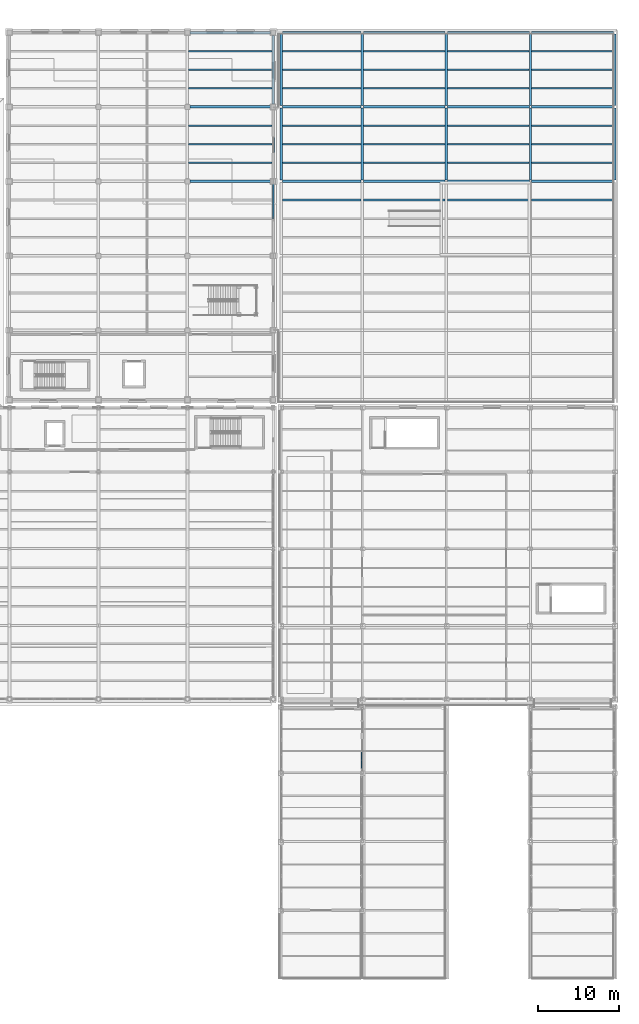
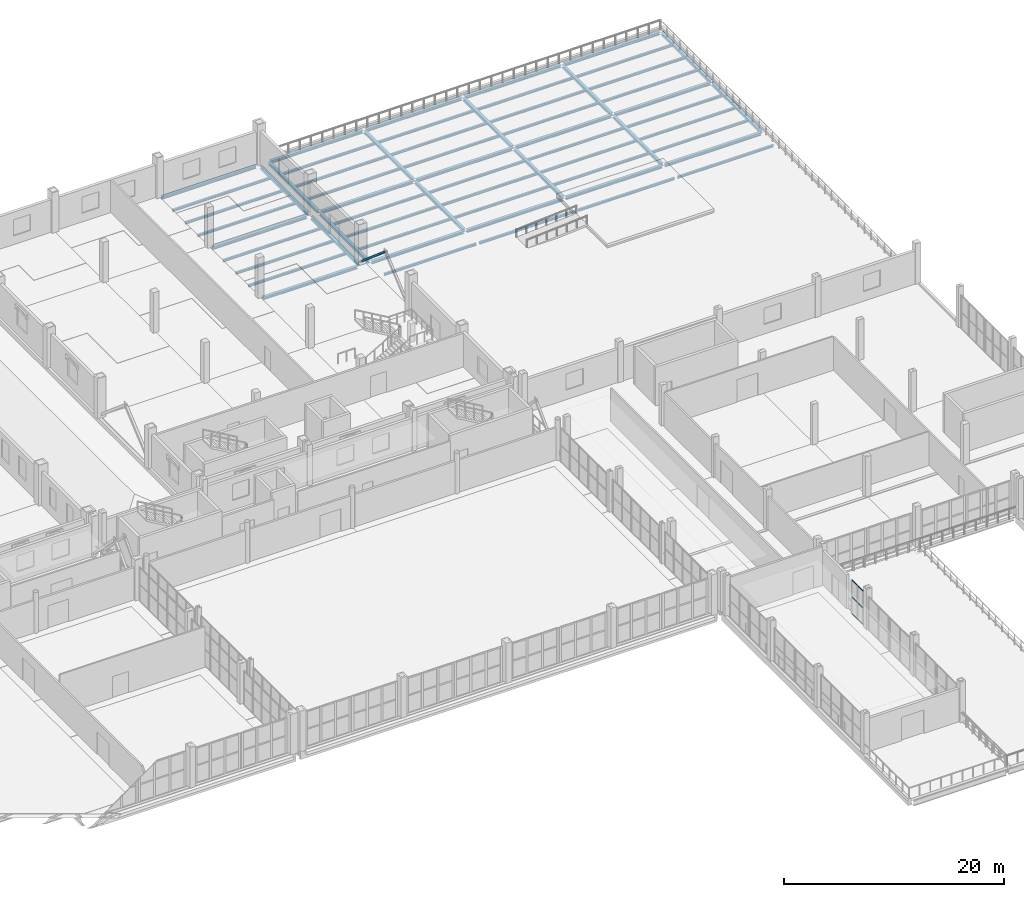
# One storey, part 100 of 156: 61 beams, 7 members, 1 element without a shape of its own.
"""IFC4 building model written with IfcOpenShell, lengths in metres."""

from ifc_helpers import new_model, si_unit, direction, frame, origin, origin_2d, place, context, subcontext, project, spatial, hollow_rectangle, i_section, extrude, material, material_profile, profile_set, type_object, element, aggregate, save


model = new_model("IFC4")

# Units and contexts
model_context = context("Model", 3, precision=1e-05, world=origin(), true_north=direction((0.0, 1.0)))
body_context = subcontext(model_context, "Body", "Model", "MODEL_VIEW")
ifc_project = project(units=[si_unit("LENGTHUNIT", "METRE"), si_unit("AREAUNIT", "SQUARE_METRE"), si_unit("VOLUMEUNIT", "CUBIC_METRE"), si_unit("PLANEANGLEUNIT", "RADIAN"), si_unit("MASSUNIT", "GRAM", prefix="KILO")], contexts=[model_context])

# Site, building, storey
site_placement = place(None, origin())
site = spatial("IfcSite", under=ifc_project, at=site_placement, CompositionType="ELEMENT")
building_placement = place(site_placement, origin())
building = spatial("IfcBuilding", under=site, at=building_placement, Name="Caurita Quay Ferry Terminal", CompositionType="ELEMENT")
storey_placement = place(building_placement, frame((0.0, 0.0, 5.39990234375)))
storey = spatial("IfcBuildingStorey", under=building, at=storey_placement, Name="L01", CompositionType="ELEMENT", Elevation=5.39990234375)

# Beams
ifc_material_1 = material(Name="Structural steel ASTM A992 Gr. 50", Category="steel")
ifc_material_profile_1 = material_profile(ifc_material_1, i_section(OverallWidth=0.2021484375, OverallDepth=0.246337890625, WebThickness=0.00732421875, FlangeThickness=0.010986328125, FilletRadius=0.01025390625, at=origin_2d()), Name="W10X33")
ifc_profile_set_1 = profile_set([ifc_material_profile_1], Name="Structural steel ASTM A992 Gr. 50")
beam_type_1 = type_object("IfcBeamType", Name="BM-JS-W10", PredefinedType="JOIST", material=ifc_profile_set_1)
for number, where, z_axis, x_axis, name in (
    (1, (132.952392578125, 96.300048828125, -0.31298828125), (1.0, 0.0, 0.0), (0.0, 1.0, 0.0), "L01 Beam JS-V4E-L01-008"),
    (2, (132.952392578125, 100.89990234375, -0.31298828125), (1.0, 0.0, 0.0), (0.0, 1.0, 0.0), "L01 Beam JS-V4E-L01-009"),
    (3, (132.952392578125, 103.199951171875, -0.31298828125), (1.0, 0.0, 0.0), (0.0, 1.0, 0.0), "L01 Beam JS-V4E-L01-010"),
    (4, (132.952392578125, 105.5, -0.31298828125), (1.0, 0.0, 0.0), (0.0, 1.0, 0.0), "L01 Beam JS-V4E-L01-011"),
    (5, (132.952392578125, 110.10009765625, -0.31298828125), (1.0, 0.0, 0.0), (0.0, 1.0, 0.0), "L01 Beam JS-V4E-L01-012"),
    (6, (132.952392578125, 112.39990234375, -0.31298828125), (1.0, 0.0, 0.0), (0.0, 1.0, 0.0), "L01 Beam JS-V4E-L01-013"),
    (7, (132.952392578125, 114.699951171875, -0.31298828125), (1.0, 0.0, 0.0), (0.0, 1.0, 0.0), "L01 Beam JS-V4E-L01-014"),
):
    element("IfcBeam", number, at=place(storey_placement, frame(where, z_axis=z_axis, x_axis=x_axis)), inside=storey, type_object=beam_type_1, Name=name, PredefinedType="JOIST", context=body_context, shape_type="SweptSolid", body=[
        extrude(i_section(OverallWidth=0.2021484375, OverallDepth=0.246337890625, WebThickness=0.00732421875, FlangeThickness=0.010986328125, FilletRadius=0.01025390625, at=origin_2d()), origin(), (0.0, 0.0, 1.0), 9.6953125),
    ])
for number, where, z_axis, x_axis, name in (
    (8, (142.952392578125, 96.300048828125, -0.31298828125), (1.0, 0.0, 0.0), (0.0, 1.0, 0.0), "L01 Beam JS-V4E-L01-022"),
    (9, (142.952392578125, 100.89990234375, -0.31298828125), (1.0, 0.0, 0.0), (0.0, 1.0, 0.0), "L01 Beam JS-V4E-L01-023"),
    (10, (142.952392578125, 103.199951171875, -0.31298828125), (1.0, 0.0, 0.0), (0.0, 1.0, 0.0), "L01 Beam JS-V4E-L01-024"),
    (11, (142.952392578125, 105.5, -0.31298828125), (1.0, 0.0, 0.0), (0.0, 1.0, 0.0), "L01 Beam JS-V4E-L01-025"),
    (12, (142.952392578125, 110.10009765625, -0.31298828125), (1.0, 0.0, 0.0), (0.0, 1.0, 0.0), "L01 Beam JS-V4E-L01-026"),
    (13, (142.952392578125, 112.39990234375, -0.31298828125), (1.0, 0.0, 0.0), (0.0, 1.0, 0.0), "L01 Beam JS-V4E-L01-027"),
    (14, (142.952392578125, 114.699951171875, -0.31298828125), (1.0, 0.0, 0.0), (0.0, 1.0, 0.0), "L01 Beam JS-V4E-L01-028"),
    (15, (153.352294921875, 96.300048828125, -0.31298828125), (1.0, 0.0, 0.0), (0.0, 1.0, 0.0), "L01 Beam JS-V4E-L01-036"),
    (16, (153.352294921875, 100.89990234375, -0.31298828125), (1.0, 0.0, 0.0), (0.0, 1.0, 0.0), "L01 Beam JS-V4E-L01-037"),
    (17, (153.352294921875, 103.199951171875, -0.31298828125), (1.0, 0.0, 0.0), (0.0, 1.0, 0.0), "L01 Beam JS-V4E-L01-038"),
    (18, (153.352294921875, 105.5, -0.31298828125), (1.0, 0.0, 0.0), (0.0, 1.0, 0.0), "L01 Beam JS-V4E-L01-039"),
    (19, (153.352294921875, 110.10009765625, -0.31298828125), (1.0, 0.0, 0.0), (0.0, 1.0, 0.0), "L01 Beam JS-V4E-L01-040"),
    (20, (153.352294921875, 112.39990234375, -0.31298828125), (1.0, 0.0, 0.0), (0.0, 1.0, 0.0), "L01 Beam JS-V4E-L01-041"),
    (21, (153.352294921875, 114.699951171875, -0.31298828125), (1.0, 0.0, 0.0), (0.0, 1.0, 0.0), "L01 Beam JS-V4E-L01-042"),
    (22, (163.75244140625, 96.300048828125, -0.31298828125), (1.0, 0.0, 0.0), (0.0, 1.0, 0.0), "L01 Beam JS-V4E-L01-050"),
    (23, (163.75244140625, 100.89990234375, -0.31298828125), (1.0, 0.0, 0.0), (0.0, 1.0, 0.0), "L01 Beam JS-V4E-L01-051"),
    (24, (163.75244140625, 103.199951171875, -0.31298828125), (1.0, 0.0, 0.0), (0.0, 1.0, 0.0), "L01 Beam JS-V4E-L01-052"),
    (25, (163.75244140625, 105.5, -0.31298828125), (1.0, 0.0, 0.0), (0.0, 1.0, 0.0), "L01 Beam JS-V4E-L01-053"),
    (26, (163.75244140625, 110.10009765625, -0.31298828125), (1.0, 0.0, 0.0), (0.0, 1.0, 0.0), "L01 Beam JS-V4E-L01-054"),
    (27, (163.75244140625, 112.39990234375, -0.31298828125), (1.0, 0.0, 0.0), (0.0, 1.0, 0.0), "L01 Beam JS-V4E-L01-055"),
    (28, (163.75244140625, 114.699951171875, -0.31298828125), (1.0, 0.0, 0.0), (0.0, 1.0, 0.0), "L01 Beam JS-V4E-L01-056"),
):
    element("IfcBeam", number, at=place(storey_placement, frame(where, z_axis=z_axis, x_axis=x_axis)), inside=storey, type_object=beam_type_1, Name=name, PredefinedType="JOIST", context=body_context, shape_type="SweptSolid", body=[
        extrude(i_section(OverallWidth=0.2021484375, OverallDepth=0.246337890625, WebThickness=0.00732421875, FlangeThickness=0.010986328125, FilletRadius=0.01025390625, at=origin_2d()), origin(), (0.0, 0.0, 1.0), 10.09521484375),
    ])
for number, where, z_axis, x_axis, name in (
    (29, (121.352294921875, 100.89990234375, -0.30322265625), (1.0, 0.0, 0.0), (0.0, 1.0, 0.0), "L01 Beam JS-V4W-L01-033"),
    (30, (121.352294921875, 103.199951171875, -0.30322265625), (1.0, 0.0, 0.0), (0.0, 1.0, 0.0), "L01 Beam JS-V4W-L01-034"),
    (31, (121.352294921875, 105.5, -0.30322265625), (1.0, 0.0, 0.0), (0.0, 1.0, 0.0), "L01 Beam JS-V4W-L01-035"),
    (32, (121.352294921875, 110.10009765625, -0.30322265625), (1.0, 0.0, 0.0), (0.0, 1.0, 0.0), "L01 Beam JS-V4W-L01-036"),
    (33, (121.352294921875, 112.39990234375, -0.30322265625), (1.0, 0.0, 0.0), (0.0, 1.0, 0.0), "L01 Beam JS-V4W-L01-037"),
    (34, (121.352294921875, 114.699951171875, -0.30322265625), (1.0, 0.0, 0.0), (0.0, 1.0, 0.0), "L01 Beam JS-V4W-L01-038"),
):
    element("IfcBeam", number, at=place(storey_placement, frame(where, z_axis=z_axis, x_axis=x_axis)), inside=storey, type_object=beam_type_1, Name=name, PredefinedType="JOIST", context=body_context, shape_type="SweptSolid", body=[
        extrude(i_section(OverallWidth=0.2021484375, OverallDepth=0.246337890625, WebThickness=0.00732421875, FlangeThickness=0.010986328125, FilletRadius=0.01025390625, at=origin_2d()), origin(), (0.0, 0.0, 1.0), 10.29541015625),
    ])
ifc_material_profile_2 = material_profile(ifc_material_1, i_section(OverallWidth=0.3046875, OverallDepth=0.307373046875, WebThickness=0.010009765625, FlangeThickness=0.015380859375, FilletRadius=0.01513671875, at=origin_2d()), Name="W12X65")
ifc_profile_set_2 = profile_set([ifc_material_profile_2], Name="Structural steel ASTM A992 Gr. 50")
beam_type_2 = type_object("IfcBeamType", Name="BM-VD-W12A", PredefinedType="BEAM", material=ifc_profile_set_2)
beam_1_placement = place(storey_placement, frame((132.951416015625, 98.60009765625, -0.343505859375), z_axis=(1.0, 0.0, 0.0), x_axis=(0.0, 1.0, 0.0)))
element("IfcBeam", 35, at=beam_1_placement, inside=storey, type_object=beam_type_2, Name="L01 Beam BM-V4E-L01-X-1330-986", PredefinedType="BEAM", context=body_context, shape_type="SweptSolid", body=[
    extrude(i_section(OverallWidth=0.3046875, OverallDepth=0.307373046875, WebThickness=0.010009765625, FlangeThickness=0.015380859375, FilletRadius=0.01513671875, at=origin_2d()), origin(), (0.0, 0.0, 1.0), 9.697265625),
])
beam_2_placement = place(storey_placement, frame((142.951416015625, 98.60009765625, -0.343505859375), z_axis=(1.0, 0.0, 0.0), x_axis=(0.0, 1.0, 0.0)))
element("IfcBeam", 36, at=beam_2_placement, inside=storey, type_object=beam_type_2, Name="L01 Beam BM-V4E-L01-X-1430-986", PredefinedType="BEAM", context=body_context, shape_type="SweptSolid", body=[
    extrude(i_section(OverallWidth=0.3046875, OverallDepth=0.307373046875, WebThickness=0.010009765625, FlangeThickness=0.015380859375, FilletRadius=0.01513671875, at=origin_2d()), origin(), (0.0, 0.0, 1.0), 10.09716796875),
])
for number, where, z_axis, x_axis, name in (
    (37, (153.351318359375, 98.60009765625, -0.343505859375), (1.0, 0.0, 0.0), (0.0, 1.0, 0.0), "L01 Beam BM-V4E-L01-X-1534-986"),
    (38, (163.751220703125, 98.60009765625, -0.343505859375), (1.0, 0.0, 0.0), (0.0, 1.0, 0.0), "L01 Beam BM-V4E-L01-X-1638-986"),
):
    element("IfcBeam", number, at=place(storey_placement, frame(where, z_axis=z_axis, x_axis=x_axis)), inside=storey, type_object=beam_type_2, Name=name, PredefinedType="BEAM", context=body_context, shape_type="SweptSolid", body=[
        extrude(i_section(OverallWidth=0.3046875, OverallDepth=0.307373046875, WebThickness=0.010009765625, FlangeThickness=0.015380859375, FilletRadius=0.01513671875, at=origin_2d()), origin(), (0.0, 0.0, 1.0), 10.097412109375),
    ])
beam_3_placement = place(storey_placement, frame((132.951416015625, 107.800048828125, -0.343505859375), z_axis=(1.0, 0.0, 0.0), x_axis=(0.0, 1.0, 0.0)))
element("IfcBeam", 39, at=beam_3_placement, inside=storey, type_object=beam_type_2, Name="L01 Beam BM-V4E-L01-X-1330-1078", PredefinedType="BEAM", context=body_context, shape_type="SweptSolid", body=[
    extrude(i_section(OverallWidth=0.3046875, OverallDepth=0.307373046875, WebThickness=0.010009765625, FlangeThickness=0.015380859375, FilletRadius=0.01513671875, at=origin_2d()), origin(), (0.0, 0.0, 1.0), 9.697265625),
])
beam_4_placement = place(storey_placement, frame((142.951416015625, 107.800048828125, -0.343505859375), z_axis=(1.0, 0.0, 0.0), x_axis=(0.0, 1.0, 0.0)))
element("IfcBeam", 40, at=beam_4_placement, inside=storey, type_object=beam_type_2, Name="L01 Beam BM-V4E-L01-X-1430-1078", PredefinedType="BEAM", context=body_context, shape_type="SweptSolid", body=[
    extrude(i_section(OverallWidth=0.3046875, OverallDepth=0.307373046875, WebThickness=0.010009765625, FlangeThickness=0.015380859375, FilletRadius=0.01513671875, at=origin_2d()), origin(), (0.0, 0.0, 1.0), 10.09716796875),
])
for number, where, z_axis, x_axis, name in (
    (41, (153.351318359375, 107.800048828125, -0.343505859375), (1.0, 0.0, 0.0), (0.0, 1.0, 0.0), "L01 Beam BM-V4E-L01-X-1534-1078"),
    (42, (163.751220703125, 107.800048828125, -0.343505859375), (1.0, 0.0, 0.0), (0.0, 1.0, 0.0), "L01 Beam BM-V4E-L01-X-1638-1078"),
):
    element("IfcBeam", number, at=place(storey_placement, frame(where, z_axis=z_axis, x_axis=x_axis)), inside=storey, type_object=beam_type_2, Name=name, PredefinedType="BEAM", context=body_context, shape_type="SweptSolid", body=[
        extrude(i_section(OverallWidth=0.3046875, OverallDepth=0.307373046875, WebThickness=0.010009765625, FlangeThickness=0.015380859375, FilletRadius=0.01513671875, at=origin_2d()), origin(), (0.0, 0.0, 1.0), 10.097412109375),
    ])
beam_5_placement = place(storey_placement, frame((132.951416015625, 117.0, -0.343505859375), z_axis=(1.0, 0.0, 0.0), x_axis=(0.0, 1.0, 0.0)))
element("IfcBeam", 43, at=beam_5_placement, inside=storey, type_object=beam_type_2, Name="L01 Beam BM-V4E-L01-X-1330-1170", PredefinedType="BEAM", context=body_context, shape_type="SweptSolid", body=[
    extrude(i_section(OverallWidth=0.3046875, OverallDepth=0.307373046875, WebThickness=0.010009765625, FlangeThickness=0.015380859375, FilletRadius=0.01513671875, at=origin_2d()), origin(), (0.0, 0.0, 1.0), 9.697265625),
])
beam_6_placement = place(storey_placement, frame((142.951416015625, 117.0, -0.343505859375), z_axis=(1.0, 0.0, 0.0), x_axis=(0.0, 1.0, 0.0)))
element("IfcBeam", 44, at=beam_6_placement, inside=storey, type_object=beam_type_2, Name="L01 Beam BM-V4E-L01-X-1430-1170", PredefinedType="BEAM", context=body_context, shape_type="SweptSolid", body=[
    extrude(i_section(OverallWidth=0.3046875, OverallDepth=0.307373046875, WebThickness=0.010009765625, FlangeThickness=0.015380859375, FilletRadius=0.01513671875, at=origin_2d()), origin(), (0.0, 0.0, 1.0), 10.09716796875),
])
for number, where, z_axis, x_axis, name in (
    (45, (153.351318359375, 117.0, -0.343505859375), (1.0, 0.0, 0.0), (0.0, 1.0, 0.0), "L01 Beam BM-V4E-L01-X-1534-1170"),
    (46, (163.751220703125, 117.0, -0.343505859375), (1.0, 0.0, 0.0), (0.0, 1.0, 0.0), "L01 Beam BM-V4E-L01-X-1638-1170"),
):
    element("IfcBeam", number, at=place(storey_placement, frame(where, z_axis=z_axis, x_axis=x_axis)), inside=storey, type_object=beam_type_2, Name=name, PredefinedType="BEAM", context=body_context, shape_type="SweptSolid", body=[
        extrude(i_section(OverallWidth=0.3046875, OverallDepth=0.307373046875, WebThickness=0.010009765625, FlangeThickness=0.015380859375, FilletRadius=0.01513671875, at=origin_2d()), origin(), (0.0, 0.0, 1.0), 10.097412109375),
    ])
beam_7_placement = place(storey_placement, frame((132.800048828125, 98.751220703125, -0.343505859375), z_axis=(0.0, 1.0, 0.0), x_axis=(-1.0, 0.0, 0.0)))
element("IfcBeam", 47, at=beam_7_placement, inside=storey, type_object=beam_type_2, Name="L01 Beam BM-V4E-L01-Y-1328-988", PredefinedType="BEAM", context=body_context, shape_type="SweptSolid", body=[
    extrude(i_section(OverallWidth=0.3046875, OverallDepth=0.307373046875, WebThickness=0.010009765625, FlangeThickness=0.015380859375, FilletRadius=0.01513671875, at=origin_2d()), origin(), (0.0, 0.0, 1.0), 8.8974609375),
])
beam_8_placement = place(storey_placement, frame((132.800048828125, 107.951416015625, -0.343505859375), z_axis=(0.0, 1.0, 0.0), x_axis=(-1.0, 0.0, 0.0)))
element("IfcBeam", 48, at=beam_8_placement, inside=storey, type_object=beam_type_2, Name="L01 Beam BM-V4E-L01-Y-1328-1080", PredefinedType="BEAM", context=body_context, shape_type="SweptSolid", body=[
    extrude(i_section(OverallWidth=0.3046875, OverallDepth=0.307373046875, WebThickness=0.010009765625, FlangeThickness=0.015380859375, FilletRadius=0.01513671875, at=origin_2d()), origin(), (0.0, 0.0, 1.0), 8.897216796875),
])
beam_9_placement = place(storey_placement, frame((142.800048828125, 98.751220703125, -0.343505859375), z_axis=(0.0, 1.0, 0.0), x_axis=(-1.0, 0.0, 0.0)))
element("IfcBeam", 49, at=beam_9_placement, inside=storey, type_object=beam_type_2, Name="L01 Beam BM-V4E-L01-Y-1428-988", PredefinedType="BEAM", context=body_context, shape_type="SweptSolid", body=[
    extrude(i_section(OverallWidth=0.3046875, OverallDepth=0.307373046875, WebThickness=0.010009765625, FlangeThickness=0.015380859375, FilletRadius=0.01513671875, at=origin_2d()), origin(), (0.0, 0.0, 1.0), 8.8974609375),
])
beam_10_placement = place(storey_placement, frame((142.800048828125, 107.951416015625, -0.343505859375), z_axis=(0.0, 1.0, 0.0), x_axis=(-1.0, 0.0, 0.0)))
element("IfcBeam", 50, at=beam_10_placement, inside=storey, type_object=beam_type_2, Name="L01 Beam BM-V4E-L01-Y-1428-1080", PredefinedType="BEAM", context=body_context, shape_type="SweptSolid", body=[
    extrude(i_section(OverallWidth=0.3046875, OverallDepth=0.307373046875, WebThickness=0.010009765625, FlangeThickness=0.015380859375, FilletRadius=0.01513671875, at=origin_2d()), origin(), (0.0, 0.0, 1.0), 8.897216796875),
])
beam_11_placement = place(storey_placement, frame((153.199951171875, 98.751220703125, -0.343505859375), z_axis=(0.0, 1.0, 0.0), x_axis=(-1.0, 0.0, 0.0)))
element("IfcBeam", 51, at=beam_11_placement, inside=storey, type_object=beam_type_2, Name="L01 Beam BM-V4E-L01-Y-1532-988", PredefinedType="BEAM", context=body_context, shape_type="SweptSolid", body=[
    extrude(i_section(OverallWidth=0.3046875, OverallDepth=0.307373046875, WebThickness=0.010009765625, FlangeThickness=0.015380859375, FilletRadius=0.01513671875, at=origin_2d()), origin(), (0.0, 0.0, 1.0), 8.8974609375),
])
beam_12_placement = place(storey_placement, frame((153.199951171875, 107.951416015625, -0.343505859375), z_axis=(0.0, 1.0, 0.0), x_axis=(-1.0, 0.0, 0.0)))
element("IfcBeam", 52, at=beam_12_placement, inside=storey, type_object=beam_type_2, Name="L01 Beam BM-V4E-L01-Y-1532-1080", PredefinedType="BEAM", context=body_context, shape_type="SweptSolid", body=[
    extrude(i_section(OverallWidth=0.3046875, OverallDepth=0.307373046875, WebThickness=0.010009765625, FlangeThickness=0.015380859375, FilletRadius=0.01513671875, at=origin_2d()), origin(), (0.0, 0.0, 1.0), 8.897216796875),
])
beam_13_placement = place(storey_placement, frame((163.60009765625, 98.751220703125, -0.343505859375), z_axis=(0.0, 1.0, 0.0), x_axis=(-1.0, 0.0, 0.0)))
element("IfcBeam", 53, at=beam_13_placement, inside=storey, type_object=beam_type_2, Name="L01 Beam BM-V4E-L01-Y-1636-988", PredefinedType="BEAM", context=body_context, shape_type="SweptSolid", body=[
    extrude(i_section(OverallWidth=0.3046875, OverallDepth=0.307373046875, WebThickness=0.010009765625, FlangeThickness=0.015380859375, FilletRadius=0.01513671875, at=origin_2d()), origin(), (0.0, 0.0, 1.0), 8.8974609375),
])
beam_14_placement = place(storey_placement, frame((163.60009765625, 107.951416015625, -0.343505859375), z_axis=(0.0, 1.0, 0.0), x_axis=(-1.0, 0.0, 0.0)))
element("IfcBeam", 54, at=beam_14_placement, inside=storey, type_object=beam_type_2, Name="L01 Beam BM-V4E-L01-Y-1636-1080", PredefinedType="BEAM", context=body_context, shape_type="SweptSolid", body=[
    extrude(i_section(OverallWidth=0.3046875, OverallDepth=0.307373046875, WebThickness=0.010009765625, FlangeThickness=0.015380859375, FilletRadius=0.01513671875, at=origin_2d()), origin(), (0.0, 0.0, 1.0), 8.897216796875),
])
beam_15_placement = place(storey_placement, frame((174.0, 98.751220703125, -0.343505859375), z_axis=(0.0, 1.0, 0.0), x_axis=(-1.0, 0.0, 0.0)))
element("IfcBeam", 55, at=beam_15_placement, inside=storey, type_object=beam_type_2, Name="L01 Beam BM-V4E-L01-Y-1740-988", PredefinedType="BEAM", context=body_context, shape_type="SweptSolid", body=[
    extrude(i_section(OverallWidth=0.3046875, OverallDepth=0.307373046875, WebThickness=0.010009765625, FlangeThickness=0.015380859375, FilletRadius=0.01513671875, at=origin_2d()), origin(), (0.0, 0.0, 1.0), 8.8974609375),
])
beam_16_placement = place(storey_placement, frame((174.0, 107.951416015625, -0.343505859375), z_axis=(0.0, 1.0, 0.0), x_axis=(-1.0, 0.0, 0.0)))
element("IfcBeam", 56, at=beam_16_placement, inside=storey, type_object=beam_type_2, Name="L01 Beam BM-V4E-L01-Y-1740-1080", PredefinedType="BEAM", context=body_context, shape_type="SweptSolid", body=[
    extrude(i_section(OverallWidth=0.3046875, OverallDepth=0.307373046875, WebThickness=0.010009765625, FlangeThickness=0.015380859375, FilletRadius=0.01513671875, at=origin_2d()), origin(), (0.0, 0.0, 1.0), 8.897216796875),
])
for number, where, z_axis, x_axis, name in (
    (57, (121.5400390625, 98.60009765625, -0.33349609375), (1.0, 0.0, 0.0), (0.0, 1.0, 0.0), "L01 Beam BM-V4W-L01-X-1215-986"),
    (58, (121.5400390625, 107.800048828125, -0.33349609375), (1.0, 0.0, 0.0), (0.0, 1.0, 0.0), "L01 Beam BM-V4W-L01-X-1215-1078"),
    (59, (121.5400390625, 117.0, -0.33349609375), (1.0, 0.0, 0.0), (0.0, 1.0, 0.0), "L01 Beam BM-V4W-L01-X-1215-1170"),
):
    element("IfcBeam", number, at=place(storey_placement, frame(where, z_axis=z_axis, x_axis=x_axis)), inside=storey, type_object=beam_type_2, Name=name, PredefinedType="BEAM", context=body_context, shape_type="SweptSolid", body=[
        extrude(i_section(OverallWidth=0.3046875, OverallDepth=0.307373046875, WebThickness=0.010009765625, FlangeThickness=0.015380859375, FilletRadius=0.01513671875, at=origin_2d()), origin(), (0.0, 0.0, 1.0), 9.919921875),
    ])
for number, where, z_axis, x_axis, name in (
    (60, (131.800048828125, 98.93994140625, -0.33349609375), (0.0, 1.0, 0.0), (-1.0, 0.0, 0.0), "L01 Beam BM-V4W-L01-Y-1318-989"),
    (61, (131.800048828125, 108.139892578125, -0.33349609375), (0.0, 1.0, 0.0), (-1.0, 0.0, 0.0), "L01 Beam BM-V4W-L01-Y-1318-1081"),
):
    element("IfcBeam", number, at=place(storey_placement, frame(where, z_axis=z_axis, x_axis=x_axis)), inside=storey, type_object=beam_type_2, Name=name, PredefinedType="BEAM", context=body_context, shape_type="SweptSolid", body=[
        extrude(i_section(OverallWidth=0.3046875, OverallDepth=0.307373046875, WebThickness=0.010009765625, FlangeThickness=0.015380859375, FilletRadius=0.01513671875, at=origin_2d()), origin(), (0.0, 0.0, 1.0), 8.52001953125),
    ])

# Curtain wall, members
ifc_material_2 = material(Name="Laminated solar-control insulated glass", Category="glass")
curtain_wall_type = type_object("IfcCurtainWallType", Name="CW-SYS-17", PredefinedType="NOTDEFINED", material=ifc_material_2)
curtain_wall_placement = place(storey_placement, origin())
curtain_wall = element("IfcCurtainWall", 62, at=curtain_wall_placement, inside=storey, type_object=curtain_wall_type, Name="Boarding Gangway Ribbon Curtain Wall 123", PredefinedType="NOTDEFINED")
ifc_material_3 = material(Name="Anodized aluminium 6063-T6", Category="aluminium")
ifc_material_profile_3 = material_profile(ifc_material_3, hollow_rectangle(XDim=0.054931640625, YDim=0.10009765625, WallThickness=0.00341796875, at=origin_2d()), Name="ALU-TRN-55X100")
ifc_profile_set_3 = profile_set([ifc_material_profile_3], Name="Anodized aluminium 6063-T6")
member_type_1 = type_object("IfcMemberType", Name="CW-TRN-100", PredefinedType="USERDEFINED", material=ifc_profile_set_3)
member_1_placement = place(storey_placement, frame((142.699951171875, 26.0380859375, 0.027587890625), z_axis=(0.0, 1.0, 0.0), x_axis=(-1.0, 0.0, 0.0)))
member_1 = element("IfcMember", 63, at=member_1_placement, type_object=member_type_1, Name="CW-BGW-123 Transom 1", ObjectType="TRANSOM", PredefinedType="USERDEFINED", context=body_context, shape_type="SweptSolid", body=[
    extrude(hollow_rectangle(XDim=0.054931640625, YDim=0.10009765625, WallThickness=0.00341796875, at=origin_2d()), origin(), (0.0, 0.0, 1.0), 0.98388671875),
])
member_2_placement = place(storey_placement, frame((142.699951171875, 26.0380859375, 1.875), z_axis=(0.0, 1.0, 0.0), x_axis=(-1.0, 0.0, 0.0)))
member_2 = element("IfcMember", 64, at=member_2_placement, type_object=member_type_1, Name="CW-BGW-123 Transom 2", ObjectType="TRANSOM", PredefinedType="USERDEFINED", context=body_context, shape_type="SweptSolid", body=[
    extrude(hollow_rectangle(XDim=0.054931640625, YDim=0.10009765625, WallThickness=0.00341796875, at=origin_2d()), origin(), (0.0, 0.0, 1.0), 0.98388671875),
])
member_3_placement = place(storey_placement, frame((142.699951171875, 26.0380859375, 3.72265625), z_axis=(0.0, 1.0, 0.0), x_axis=(-1.0, 0.0, 0.0)))
member_3 = element("IfcMember", 65, at=member_3_placement, type_object=member_type_1, Name="CW-BGW-123 Transom 3", ObjectType="TRANSOM", PredefinedType="USERDEFINED", context=body_context, shape_type="SweptSolid", body=[
    extrude(hollow_rectangle(XDim=0.054931640625, YDim=0.10009765625, WallThickness=0.00341796875, at=origin_2d()), origin(), (0.0, 0.0, 1.0), 0.98388671875),
])
member_4_placement = place(storey_placement, frame((142.699951171875, 27.077880859375, 0.027587890625), z_axis=(0.0, 1.0, 0.0), x_axis=(-1.0, 0.0, 0.0)))
member_4 = element("IfcMember", 66, at=member_4_placement, type_object=member_type_1, Name="CW-BGW-123 Transom 4", ObjectType="TRANSOM", PredefinedType="USERDEFINED", context=body_context, shape_type="SweptSolid", body=[
    extrude(hollow_rectangle(XDim=0.054931640625, YDim=0.10009765625, WallThickness=0.00341796875, at=origin_2d()), origin(), (0.0, 0.0, 1.0), 0.984130859375),
])
member_5_placement = place(storey_placement, frame((142.699951171875, 27.077880859375, 1.875), z_axis=(0.0, 1.0, 0.0), x_axis=(-1.0, 0.0, 0.0)))
member_5 = element("IfcMember", 67, at=member_5_placement, type_object=member_type_1, Name="CW-BGW-123 Transom 5", ObjectType="TRANSOM", PredefinedType="USERDEFINED", context=body_context, shape_type="SweptSolid", body=[
    extrude(hollow_rectangle(XDim=0.054931640625, YDim=0.10009765625, WallThickness=0.00341796875, at=origin_2d()), origin(), (0.0, 0.0, 1.0), 0.984130859375),
])
member_6_placement = place(storey_placement, frame((142.699951171875, 27.077880859375, 3.72265625), z_axis=(0.0, 1.0, 0.0), x_axis=(-1.0, 0.0, 0.0)))
member_6 = element("IfcMember", 68, at=member_6_placement, type_object=member_type_1, Name="CW-BGW-123 Transom 6", ObjectType="TRANSOM", PredefinedType="USERDEFINED", context=body_context, shape_type="SweptSolid", body=[
    extrude(hollow_rectangle(XDim=0.054931640625, YDim=0.10009765625, WallThickness=0.00341796875, at=origin_2d()), origin(), (0.0, 0.0, 1.0), 0.984130859375),
])
aggregate(curtain_wall, [member_1, member_2, member_3, member_4, member_5, member_6])

# Member
ifc_material_4 = material(Name="Hollow structural steel ASTM A500 Gr. C", Category="steel")
ifc_material_profile_4 = material_profile(ifc_material_4, hollow_rectangle(XDim=0.203125, YDim=0.203125, WallThickness=0.0087890625, InnerFilletRadius=0.0087890625, OuterFilletRadius=0.017822265625, at=origin_2d()), Name="HSS8X8X3/8")
ifc_profile_set_4 = profile_set([ifc_material_profile_4], Name="Hollow structural steel ASTM A500 Gr. C")
member_type_2 = type_object("IfcMemberType", Name="MEM-BRC-08", PredefinedType="BRACE", material=ifc_profile_set_4)
member_7_placement = place(storey_placement, frame((131.800048828125, 98.60009765625, 0.1201171875), z_axis=(0.0, -0.761953286382, 0.647631986063), x_axis=(1.0, 0.0, 0.0)))
element("IfcMember", 69, at=member_7_placement, inside=storey, type_object=member_type_2, Name="L01 Chevron Seismic Brace 16B", PredefinedType="BRACE", context=body_context, shape_type="SweptSolid", body=[
    extrude(hollow_rectangle(XDim=0.203125, YDim=0.203125, WallThickness=0.0087890625, InnerFilletRadius=0.0087890625, OuterFilletRadius=0.017822265625, at=origin_2d()), origin(), (0.0, 0.0, 1.0), 6.037353515625),
])

save(model, "model.ifc")
